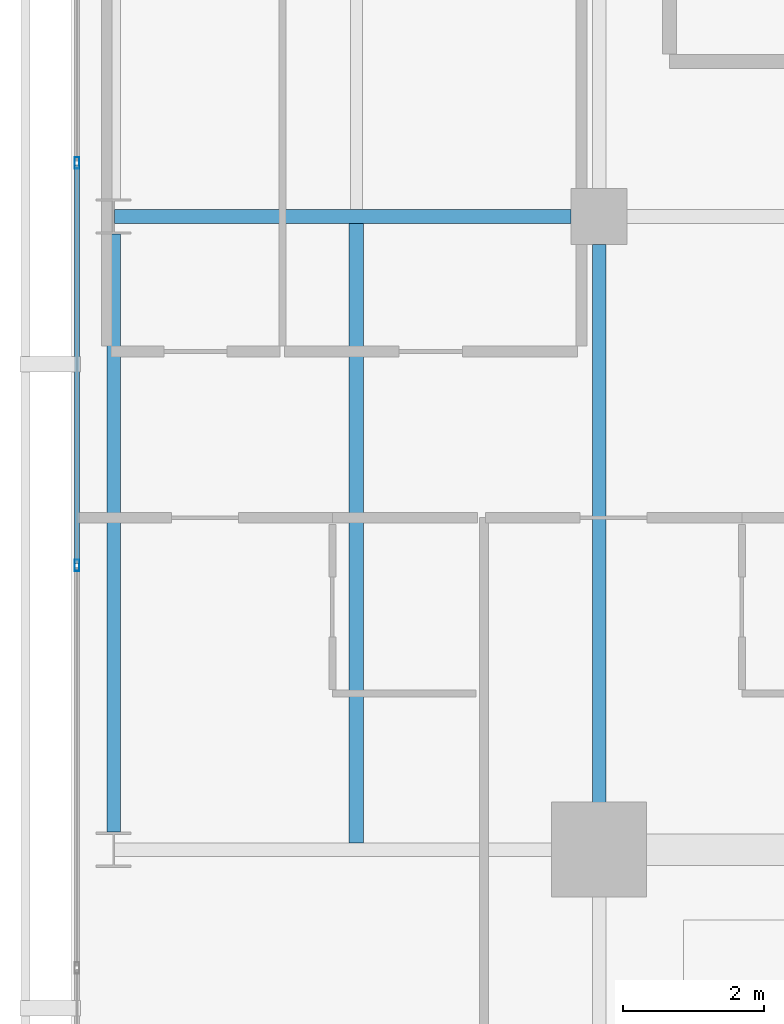
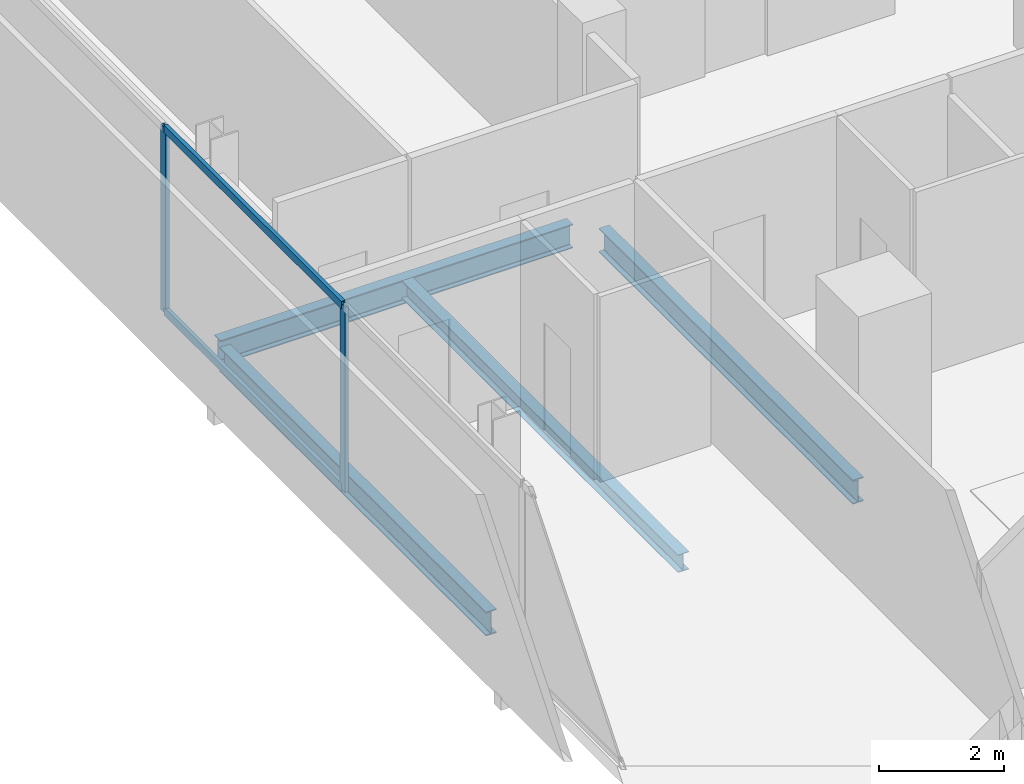
# One storey, part 7 of 24: 4 beams, 4 members, 1 element without a shape of its own.
"""IFC4 building model written with IfcOpenShell, lengths in metres."""

import ifcopenshell
import ifcopenshell.guid

model = None  # the IFC model being written
_history = None  # IfcOwnerHistory: only IFC2X3 demands one
_inside = {}  # id of a spatial element -> (the spatial element, [elements in it])
_under = {}  # id of a project, library or spatial element -> (it, [spatial elements below it])
_declared = {}  # id of a project -> (the project, [libraries it declares])
_typed = {}  # id of a type object -> (the type object, [elements of that type])
_made_of = {}  # id of a material, layer set ... -> (it, [elements and type objects made of it])


def new_model(schema):
    """Start an empty IFC model of exactly this schema.

    Asked for "IFC4X3", IfcOpenShell would pick the latest addendum, in which some entities
    have other attributes; the version numbers below select the first issue.
    IFC2X3 requires an IfcOwnerHistory on every rooted entity: one is made here for all.
    """
    global model, _history
    if schema == "IFC4X3":
        model = ifcopenshell.file(schema_version=(4, 3, 0, 0))
    else:
        model = ifcopenshell.file(schema=schema)
    _inside.clear()
    _under.clear()
    _declared.clear()
    _typed.clear()
    _made_of.clear()
    _history = None
    if model.schema == "IFC2X3":
        org = make("IfcOrganization", Name="unknown")
        user = make(
            "IfcPersonAndOrganization",
            ThePerson=make("IfcPerson", FamilyName="unknown"),
            TheOrganization=org,
        )
        app = make(
            "IfcApplication",
            ApplicationDeveloper=org,
            Version="unknown",
            ApplicationFullName="unknown",
            ApplicationIdentifier="unknown",
        )
        _history = make(
            "IfcOwnerHistory",
            OwningUser=user,
            OwningApplication=app,
            ChangeAction="ADDED",
            CreationDate=0,
        )
    return model


def make(cls, **values):
    """One entity of the class cls with the attributes given. An attribute that is None is left unset."""
    return model.create_entity(
        cls, **{name: value for name, value in values.items() if value is not None}
    )


def rooted(cls, **values):
    """An entity with a GlobalId (a new one), such as an element, a storey or a relation."""
    return make(cls, GlobalId=ifcopenshell.guid.new(), OwnerHistory=_history, **values)


def si_unit(unit_type, name, prefix=None):
    """IfcSIUnit, for example si_unit("LENGTHUNIT", "METRE", prefix="MILLI")."""
    return make("IfcSIUnit", UnitType=unit_type, Prefix=prefix, Name=name)


def assignment(units):
    """IfcUnitAssignment: the units of a project."""
    return None if units is None else make("IfcUnitAssignment", Units=units)


def point(xyz):
    """IfcCartesianPoint."""
    return None if xyz is None else make("IfcCartesianPoint", Coordinates=xyz)


def direction(xyz):
    """IfcDirection."""
    return None if xyz is None else make("IfcDirection", DirectionRatios=xyz)


def frame(location, z_axis=None, x_axis=None):
    """IfcAxis2Placement3D, a coordinate frame: its origin and axes. An axis left out is left unset."""
    return make(
        "IfcAxis2Placement3D",
        Location=point(location),
        Axis=direction(z_axis),
        RefDirection=direction(x_axis),
    )


def frame_2d(location, x_axis=None):
    """IfcAxis2Placement2D, a coordinate frame in the plane: its origin and x axis."""
    return make(
        "IfcAxis2Placement2D", Location=point(location), RefDirection=direction(x_axis)
    )


def origin():
    """The frame at (0, 0, 0) with its axes left unset."""
    return frame((0.0, 0.0, 0.0))


def origin_2d():
    """The frame at (0, 0) in the plane with its x axis left unset."""
    return frame_2d((0.0, 0.0))


def place(relative_to, where):
    """IfcLocalPlacement: puts the frame where relative to a parent placement (None: the world)."""
    return make(
        "IfcLocalPlacement", PlacementRelTo=relative_to, RelativePlacement=where
    )


def context(
    kind, dimensions, precision=None, world=None, true_north=None, identifier=None
):
    """IfcGeometricRepresentationContext, for example the 3D "Model" context."""
    return make(
        "IfcGeometricRepresentationContext",
        ContextIdentifier=identifier,
        ContextType=kind,
        CoordinateSpaceDimension=dimensions,
        Precision=precision,
        WorldCoordinateSystem=world,
        TrueNorth=true_north,
    )


def subcontext(parent, identifier, kind, view, scale=None):
    """IfcGeometricRepresentationSubContext, for example "Body" below "Model"."""
    return make(
        "IfcGeometricRepresentationSubContext",
        ContextIdentifier=identifier,
        ContextType=kind,
        ParentContext=parent,
        TargetScale=scale,
        TargetView=view,
    )


def project(units=None, contexts=None):
    """IfcProject with its units and contexts."""
    return rooted(
        "IfcProject",
        Name="project",
        RepresentationContexts=contexts,
        UnitsInContext=assignment(units),
    )


def spatial(cls, under=None, at=None, **own):
    """A site, building, storey or space (cls), placed at a placement, below another one or the project."""
    s = rooted(cls, ObjectPlacement=at, **own)
    if under is not None:
        _under.setdefault(under.id(), (under, []))[1].append(s)
    return s


def profile(cls, at=None, kind="AREA", **sizes):
    """A parametric profile (cls). Its sizes go by their IFC names, for example OverallWidth=200.0."""
    return make(cls, ProfileType=kind, Position=at, **sizes)


def hollow_rectangle(**sizes):
    """IfcRectangleHollowProfileDef."""
    return profile("IfcRectangleHollowProfileDef", **sizes)


def i_section(**sizes):
    """IfcIShapeProfileDef."""
    return profile("IfcIShapeProfileDef", **sizes)


def extrude(swept, where, along, depth):
    """IfcExtrudedAreaSolid: the profile swept, set in the frame where, extruded along a direction by depth."""
    return make(
        "IfcExtrudedAreaSolid",
        SweptArea=swept,
        Position=where,
        ExtrudedDirection=direction(along),
        Depth=depth,
    )


def shape(context_of_items, identifier, shape_type, items):
    """IfcShapeRepresentation: the items that make up one representation, for example the "Body"."""
    return make(
        "IfcShapeRepresentation",
        ContextOfItems=context_of_items,
        RepresentationIdentifier=identifier,
        RepresentationType=shape_type,
        Items=items,
    )


def material(Name=None, Category=None):
    """IfcMaterial."""
    return make("IfcMaterial", Name=Name, Category=Category)


def layer(
    of_material, thickness, ventilated=None, Name=None, Category=None, Priority=None
):
    """IfcMaterialLayer: one layer of a wall or slab, of a material (None: an air gap)."""
    return make(
        "IfcMaterialLayer",
        Material=of_material,
        LayerThickness=thickness,
        IsVentilated=ventilated,
        Name=Name,
        Category=Category,
        Priority=Priority,
    )


def layer_set(layers, Name=None):
    """IfcMaterialLayerSet."""
    return make("IfcMaterialLayerSet", MaterialLayers=layers, LayerSetName=Name)


def material_profile(
    of_material, cross_section, Name=None, Category=None, Priority=None
):
    """IfcMaterialProfile: a cross section and its material."""
    return make(
        "IfcMaterialProfile",
        Name=Name,
        Material=of_material,
        Profile=cross_section,
        Priority=Priority,
        Category=Category,
    )


def profile_set(profiles, Name=None, composite=None):
    """IfcMaterialProfileSet."""
    return make(
        "IfcMaterialProfileSet",
        Name=Name,
        MaterialProfiles=profiles,
        CompositeProfile=composite,
    )


def made_of(thing, what):
    """Note that an element or type object is made of a material, layer set ...; save() writes the relation."""
    if what is not None:
        _made_of.setdefault(what.id(), (what, []))[1].append(thing)
    return thing


def type_object(cls, material=None, **own):
    """A type object (cls), such as IfcWallType, which elements share."""
    return made_of(rooted(cls, **own), material)


def element(
    cls,
    number,
    at=None,
    inside=None,
    cuts=None,
    type_object=None,
    material=None,
    context=None,
    identifier="Body",
    shape_type=None,
    held_by="IfcProductDefinitionShape",
    body=None,
    shapes=None,
    **own,
):
    """One element of the class cls, such as IfcWall. Its Tag is "e" and its number.

    at: its placement. inside: the storey or other place that contains it. cuts: it is an
    opening in that element (IfcRelVoidsElement). A single representation is given by context,
    identifier, shape_type and body (its items); several are given by shapes. held_by: the class
    of the entity that holds the representations. save() writes the other relations.
    """
    e = rooted(cls, Tag="e%d" % number, ObjectPlacement=at, **own)
    if body is not None:
        shapes = [shape(context, identifier, shape_type, body)]
    if shapes is not None:
        e.Representation = make(held_by, Representations=shapes)
    if inside is not None:
        _inside.setdefault(inside.id(), (inside, []))[1].append(e)
    if cuts is not None:
        rooted(
            "IfcRelVoidsElement", RelatingBuildingElement=cuts, RelatedOpeningElement=e
        )
    if type_object is not None:
        _typed.setdefault(type_object.id(), (type_object, []))[1].append(e)
    return made_of(e, material)


def aggregate(whole, parts):
    """IfcRelAggregates: a whole, such as a stair, and the parts it consists of."""
    return rooted("IfcRelAggregates", RelatingObject=whole, RelatedObjects=parts)


def save(model, path):
    """Write the relations noted so far, then the file.

    IfcRelAggregates (storeys below a building ...), IfcRelContainedInSpatialStructure (elements
    in a storey), IfcRelDefinesByType, IfcRelAssociatesMaterial and IfcRelDeclares: one each for
    every whole, place, type object, material and project.
    """
    for whole, parts in _under.values():
        aggregate(whole, parts)
    for where, things in _inside.values():
        rooted(
            "IfcRelContainedInSpatialStructure",
            RelatedElements=things,
            RelatingStructure=where,
        )
    for kind, things in _typed.values():
        rooted("IfcRelDefinesByType", RelatedObjects=things, RelatingType=kind)
    for what, things in _made_of.values():
        rooted("IfcRelAssociatesMaterial", RelatedObjects=things, RelatingMaterial=what)
    for by, libraries in _declared.values():
        rooted("IfcRelDeclares", RelatingContext=by, RelatedDefinitions=libraries)
    model.write(path)


model = new_model("IFC4")

# Units and contexts
model_context = context("Model", 3, precision=1e-05, world=origin(), true_north=direction((0.0, 1.0)))
body_context = subcontext(model_context, "Body", "Model", "MODEL_VIEW")
ifc_project = project(units=[si_unit("LENGTHUNIT", "METRE"), si_unit("AREAUNIT", "SQUARE_METRE"), si_unit("VOLUMEUNIT", "CUBIC_METRE"), si_unit("PLANEANGLEUNIT", "RADIAN"), si_unit("MASSUNIT", "GRAM", prefix="KILO")], contexts=[model_context])

# Site, building, storey
site_placement = place(None, origin())
site = spatial("IfcSite", under=ifc_project, at=site_placement, CompositionType="ELEMENT")
building_placement = place(site_placement, origin())
building = spatial("IfcBuilding", under=site, at=building_placement, Name="Maruvema Waterfront Hotel and Observation Tower", CompositionType="ELEMENT")
storey_placement = place(building_placement, frame((0.0, 0.0, 325.85009765625)))
storey = spatial("IfcBuildingStorey", under=building, at=storey_placement, Name="L80", CompositionType="ELEMENT", Elevation=325.85009765625)

# Curtain wall, members
ifc_material_1 = material(Name="Anodised bronze aluminium and solar-control low-E IGU", Category="aluminium")
ifc_layer = layer(ifc_material_1, 0.159912109375, Name="Zone 4 Sky Residence Inner Curtain Wall System CW-05")
ifc_layer_set = layer_set([ifc_layer], Name="Anodised bronze aluminium and solar-control low-E IGU")
curtain_wall_type = type_object("IfcCurtainWallType", Name="Zone 4 Sky Residence Inner Curtain Wall System CW-05", PredefinedType="USERDEFINED", material=ifc_layer_set)
curtain_wall_placement = place(storey_placement, origin())
curtain_wall = element("IfcCurtainWall", 1, at=curtain_wall_placement, inside=storey, type_object=curtain_wall_type, Name="L80 Curtain Wall CW-L80-W", ObjectType="UNITISED CURTAIN WALL", PredefinedType="USERDEFINED")
ifc_material_2 = material(Name="Anodised architectural bronze aluminium", Category="aluminium")
ifc_material_profile_1 = material_profile(ifc_material_2, hollow_rectangle(XDim=0.070068359375, YDim=0.14990234375, WallThickness=0.00390625, at=origin_2d()), Name="ALU-T70x150")
ifc_profile_set_1 = profile_set([ifc_material_profile_1], Name="Anodised architectural bronze aluminium")
member_type_1 = type_object("IfcMemberType", Name="Curtain Wall Horizontal Transom ALU-T70x150", PredefinedType="USERDEFINED", material=ifc_profile_set_1)
member_1_placement = place(storey_placement, frame((17.780029296875, 36.72998046875, 0.02978515625), z_axis=(0.0, -1.0, 0.0), x_axis=(1.0, 0.0, 0.0)))
member_1 = element("IfcMember", 2, at=member_1_placement, type_object=member_type_1, Name="CW-05 transom 3.1", ObjectType="TRANSOM", PredefinedType="USERDEFINED", context=body_context, shape_type="SweptSolid", body=[
    extrude(hollow_rectangle(XDim=0.070068359375, YDim=0.14990234375, WallThickness=0.00390625, at=origin_2d()), origin(), (0.0, 0.0, 1.0), 5.659912109375),
])
member_2_placement = place(storey_placement, frame((17.780029296875, 36.72998046875, 3.579833984375), z_axis=(0.0, -1.0, 0.0), x_axis=(1.0, 0.0, 0.0)))
member_2 = element("IfcMember", 3, at=member_2_placement, type_object=member_type_1, Name="CW-05 transom 3.2", ObjectType="TRANSOM", PredefinedType="USERDEFINED", context=body_context, shape_type="SweptSolid", body=[
    extrude(hollow_rectangle(XDim=0.070068359375, YDim=0.14990234375, WallThickness=0.00390625, at=origin_2d()), origin(), (0.0, 0.0, 1.0), 5.659912109375),
])
ifc_material_3 = material(Name="Anodised architectural bronze aluminium", Category="aluminium")
ifc_material_profile_2 = material_profile(ifc_material_3, hollow_rectangle(XDim=0.06494140625, YDim=0.1650390625, WallThickness=0.00390625, at=origin_2d()), Name="ALU-M65x165")
ifc_profile_set_2 = profile_set([ifc_material_profile_2], Name="Anodised architectural bronze aluminium")
member_type_2 = type_object("IfcMemberType", Name="Curtain Wall Primary Mullion ALU-M65x165", PredefinedType="MULLION", material=ifc_profile_set_2)
member_3_placement = place(storey_placement, frame((17.780029296875, 36.760009765625, 0.0), z_axis=(0.0, 0.0, 1.0), x_axis=(1.0, 0.0, 0.0)))
member_3 = element("IfcMember", 4, at=member_3_placement, type_object=member_type_2, Name="CW-05 mullion 3", PredefinedType="MULLION", context=body_context, shape_type="SweptSolid", body=[
    extrude(hollow_rectangle(XDim=0.06494140625, YDim=0.1650390625, WallThickness=0.00390625, at=origin_2d()), origin(), (0.0, 0.0, 1.0), 3.60986328125),
])
member_4_placement = place(storey_placement, frame((17.780029296875, 31.0400390625, 0.0), z_axis=(0.0, 0.0, 1.0), x_axis=(1.0, 0.0, 0.0)))
member_4 = element("IfcMember", 5, at=member_4_placement, type_object=member_type_2, Name="CW-05 mullion 4", PredefinedType="MULLION", context=body_context, shape_type="SweptSolid", body=[
    extrude(hollow_rectangle(XDim=0.06494140625, YDim=0.1650390625, WallThickness=0.00390625, at=origin_2d()), origin(), (0.0, 0.0, 1.0), 3.60986328125),
])
aggregate(curtain_wall, [member_3, member_4, member_1, member_2])

# Beams
ifc_material_4 = material(Name="Steel ASTM A572 Grade 50", Category="steel")
ifc_material_profile_3 = material_profile(ifc_material_4, i_section(OverallWidth=0.194091796875, OverallDepth=0.468994140625, WebThickness=0.0126953125, FlangeThickness=0.0205078125, FilletRadius=0.014892578125, at=origin_2d()), Name="W460x106.0")
ifc_profile_set_3 = profile_set([ifc_material_profile_3], Name="Steel ASTM A572 Grade 50")
beam_type_1 = type_object("IfcBeamType", Name="Primary Floor Girder W460x106.0", PredefinedType="BEAM", material=ifc_profile_set_3)
beam_1_placement = place(storey_placement, frame((18.31103515625, 36.0, -0.474609375), z_axis=(1.0, 0.0, 0.0), x_axis=(0.0, 1.0, 0.0)))
element("IfcBeam", 6, at=beam_1_placement, inside=storey, type_object=beam_type_1, Name="L80 Floor Girder EW-10", PredefinedType="BEAM", context=body_context, shape_type="SweptSolid", body=[
    extrude(i_section(OverallWidth=0.194091796875, OverallDepth=0.468994140625, WebThickness=0.0126953125, FlangeThickness=0.0205078125, FilletRadius=0.014892578125, at=origin_2d()), origin(), (0.0, 0.0, 1.0), 6.489013671875),
])
beam_2_placement = place(storey_placement, frame((18.300048828125, 27.25, -0.474609375), z_axis=(0.0, 1.0, 0.0), x_axis=(-1.0, 0.0, 0.0)))
element("IfcBeam", 7, at=beam_2_placement, inside=storey, type_object=beam_type_1, Name="L80 Floor Girder NS-01", PredefinedType="BEAM", context=body_context, shape_type="SweptSolid", body=[
    extrude(i_section(OverallWidth=0.194091796875, OverallDepth=0.468994140625, WebThickness=0.0126953125, FlangeThickness=0.0205078125, FilletRadius=0.014892578125, at=origin_2d()), origin(), (0.0, 0.0, 1.0), 8.5),
])
beam_3_placement = place(storey_placement, frame((25.199951171875, 27.5, -0.474609375), z_axis=(0.0, 1.0, 0.0), x_axis=(-1.0, 0.0, 0.0)))
element("IfcBeam", 8, at=beam_3_placement, inside=storey, type_object=beam_type_1, Name="L80 Floor Girder NS-05", PredefinedType="BEAM", context=body_context, shape_type="SweptSolid", body=[
    extrude(i_section(OverallWidth=0.194091796875, OverallDepth=0.468994140625, WebThickness=0.0126953125, FlangeThickness=0.0205078125, FilletRadius=0.014892578125, at=origin_2d()), origin(), (0.0, 0.0, 1.0), 8.10009765625),
])
ifc_material_5 = material(Name="Steel ASTM A572 Grade 50", Category="steel")
ifc_material_profile_4 = material_profile(ifc_material_5, i_section(OverallWidth=0.202880859375, OverallDepth=0.346923828125, WebThickness=0.0078125, FlangeThickness=0.013427734375, FilletRadius=0.014892578125, at=origin_2d()), Name="W360x64.0")
ifc_profile_set_4 = profile_set([ifc_material_profile_4], Name="Steel ASTM A572 Grade 50")
beam_type_2 = type_object("IfcBeamType", Name="Secondary Floor Joist W360x64.0", PredefinedType="JOIST", material=ifc_profile_set_4)
beam_4_placement = place(storey_placement, frame((21.75, 27.096923828125, -0.41357421875), z_axis=(0.0, 1.0, 0.0), x_axis=(-1.0, 0.0, 0.0)))
element("IfcBeam", 9, at=beam_4_placement, inside=storey, type_object=beam_type_2, Name="L80 Secondary Floor Joist JS-01", PredefinedType="JOIST", context=body_context, shape_type="SweptSolid", body=[
    extrude(i_section(OverallWidth=0.202880859375, OverallDepth=0.346923828125, WebThickness=0.0078125, FlangeThickness=0.013427734375, FilletRadius=0.014892578125, at=origin_2d()), origin(), (0.0, 0.0, 1.0), 8.80615234375),
])

save(model, "model.ifc")
